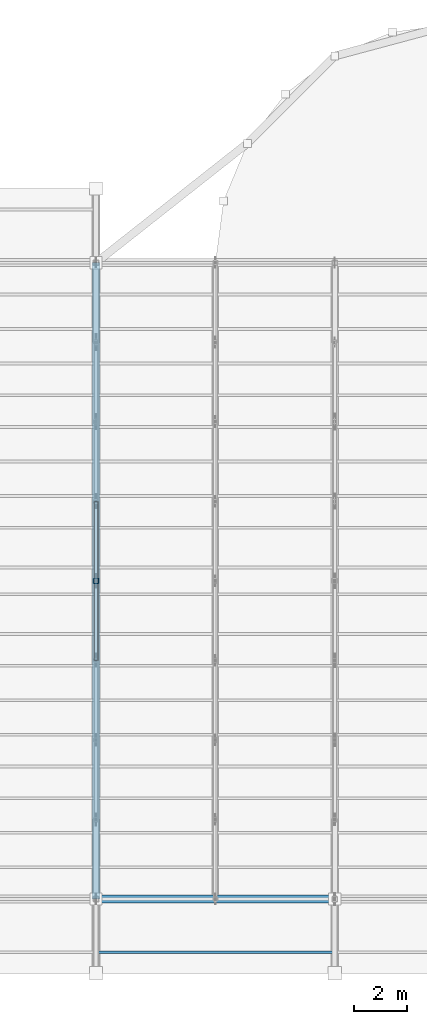
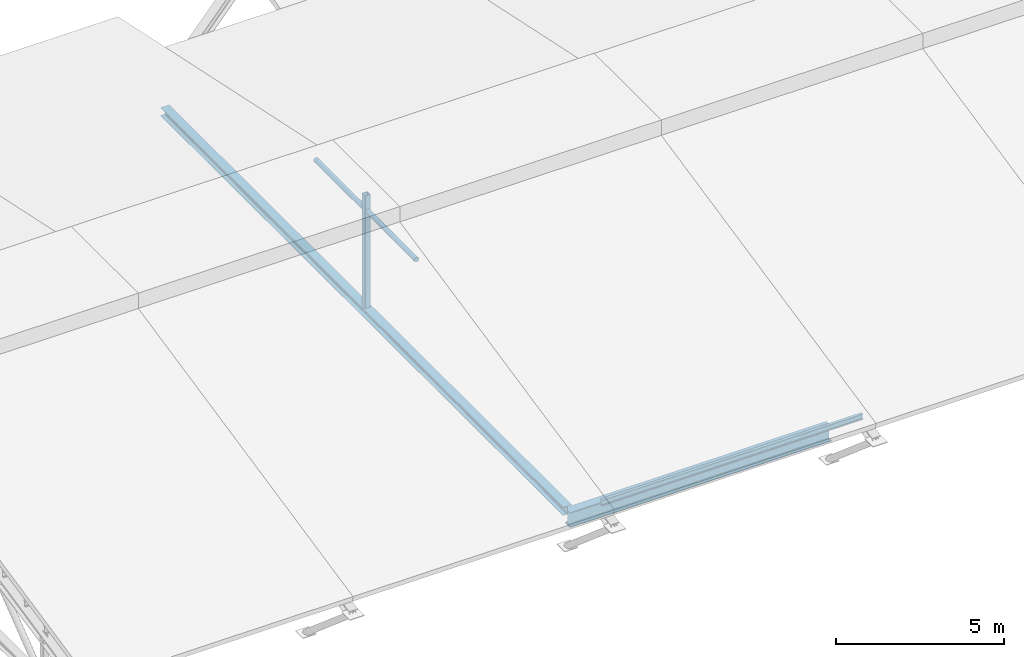
# One storey, part 9 of 43: 4 members, 1 beam.
"""IFC4 building model written with IfcOpenShell, lengths in metres."""

from ifc_helpers import new_model, si_unit, direction, frame, origin, origin_2d, place, context, subcontext, project, spatial, hollow_rectangle, hollow_circle, i_section, extrude, material, material_profile, profile_set, type_object, element, save


model = new_model("IFC4")

# Units and contexts
model_context = context("Model", 3, precision=1e-05, world=origin(), true_north=direction((0.0, 1.0)))
body_context = subcontext(model_context, "Body", "Model", "MODEL_VIEW")
ifc_project = project(units=[si_unit("LENGTHUNIT", "METRE"), si_unit("AREAUNIT", "SQUARE_METRE"), si_unit("VOLUMEUNIT", "CUBIC_METRE"), si_unit("PLANEANGLEUNIT", "RADIAN"), si_unit("MASSUNIT", "GRAM", prefix="KILO")], contexts=[model_context])

# Site, building, storey
site_placement = place(None, origin())
site = spatial("IfcSite", under=ifc_project, at=site_placement, CompositionType="ELEMENT")
building_placement = place(site_placement, origin())
building = spatial("IfcBuilding", under=site, at=building_placement, Name="Serraforn Aerial Cableway Station", CompositionType="ELEMENT")
storey_placement = place(building_placement, frame((0.0, 0.0, 18.300048828125)))
storey = spatial("IfcBuildingStorey", under=building, at=storey_placement, Name="RF", CompositionType="ELEMENT", Elevation=18.300048828125)

# Beam
ifc_material_1 = material(Name="Steel S355J2", Category="steel")
ifc_material_profile_1 = material_profile(ifc_material_1, i_section(OverallWidth=0.300048828125, OverallDepth=0.550048828125, WebThickness=0.014892578125, FlangeThickness=0.029052734375, FilletRadius=0.027099609375, at=origin_2d()), Name="HEB 550")
ifc_profile_set_1 = profile_set([ifc_material_profile_1], Name="Steel S355J2")
beam_type = type_object("IfcBeamType", Name="BM-ST-HEB550", PredefinedType="USERDEFINED", material=ifc_profile_set_1)
beam_placement = place(storey_placement, frame((45.60009765625, 18.0, -1.625), z_axis=(1.0, 0.0, 0.0), x_axis=(0.0, 1.0, 0.0)))
element("IfcBeam", 1, at=beam_placement, inside=storey, type_object=beam_type, Name="Boarding Hall Eave Girder S-3", ObjectType="GIRDER", PredefinedType="USERDEFINED", context=body_context, shape_type="SweptSolid", body=[
    extrude(i_section(OverallWidth=0.300048828125, OverallDepth=0.550048828125, WebThickness=0.014892578125, FlangeThickness=0.029052734375, FilletRadius=0.027099609375, at=origin_2d()), origin(), (0.0, 0.0, 1.0), 9.0),
])

# Members
ifc_material_profile_2 = material_profile(ifc_material_1, i_section(OverallWidth=0.300048828125, OverallDepth=0.300048828125, WebThickness=0.008544921875, FlangeThickness=0.013916015625, FilletRadius=0.027099609375, at=origin_2d()), Name="HEA 300")
ifc_profile_set_2 = profile_set([ifc_material_profile_2], Name="Steel S355J2")
member_type_1 = type_object("IfcMemberType", Name="MEM-BC-HEA300", PredefinedType="CHORD", material=ifc_profile_set_2)
member_1_placement = place(storey_placement, frame((45.60009765625, 18.0, -1.35009765625), z_axis=(0.0, 1.0, 0.0), x_axis=(-1.0, 0.0, 0.0)))
element("IfcMember", 2, at=member_1_placement, inside=storey, type_object=member_type_1, Name="Roof Truss TR-03 Bottom Chord", PredefinedType="CHORD", context=body_context, shape_type="SweptSolid", body=[
    extrude(i_section(OverallWidth=0.300048828125, OverallDepth=0.300048828125, WebThickness=0.008544921875, FlangeThickness=0.013916015625, FilletRadius=0.027099609375, at=origin_2d()), origin(), (0.0, 0.0, 1.0), 24.0),
])
ifc_material_profile_3 = material_profile(ifc_material_1, hollow_circle(Radius=0.084228515625, WallThickness=0.008056640625, at=origin_2d()), Name="CHS 168.3x8.0")
ifc_profile_set_3 = profile_set([ifc_material_profile_3], Name="Steel S355J2")
member_type_2 = type_object("IfcMemberType", Name="MEM-CL-CHS168", PredefinedType="COLLAR", material=ifc_profile_set_3)
member_2_placement = place(storey_placement, frame((45.60009765625, 27.0, 2.3076171875), z_axis=(0.0, 1.0, 0.0), x_axis=(-1.0, 0.0, 0.0)))
element("IfcMember", 3, at=member_2_placement, inside=storey, type_object=member_type_2, Name="Roof Truss TR-03 Collar Tie", PredefinedType="COLLAR", context=body_context, shape_type="SweptSolid", body=[
    extrude(hollow_circle(Radius=0.084228515625, WallThickness=0.008056640625, at=origin_2d()), origin(), (0.0, 0.0, 1.0), 6.0),
])
ifc_material_2 = material(Name="Steel S355JR", Category="steel")
ifc_material_profile_4 = material_profile(ifc_material_2, i_section(OverallWidth=0.10009765625, OverallDepth=0.199951171875, WebThickness=0.005615234375, FlangeThickness=0.008544921875, FilletRadius=0.011962890625, at=origin_2d()), Name="IPE 200")
ifc_profile_set_4 = profile_set([ifc_material_profile_4], Name="Steel S355JR")
member_type_3 = type_object("IfcMemberType", Name="MEM-PR-IPE200", PredefinedType="PURLIN", material=ifc_profile_set_4)
member_3_placement = place(storey_placement, frame((45.60009765625, 16.0, 0.14404296875), z_axis=(1.0, 0.0, 0.0), x_axis=(0.0, 1.0, 0.0)))
element("IfcMember", 4, at=member_3_placement, inside=storey, type_object=member_type_3, Name="Boarding Hall Purlin 3-1", PredefinedType="PURLIN", context=body_context, shape_type="SweptSolid", body=[
    extrude(i_section(OverallWidth=0.10009765625, OverallDepth=0.199951171875, WebThickness=0.005615234375, FlangeThickness=0.008544921875, FilletRadius=0.011962890625, at=origin_2d()), origin(), (0.0, 0.0, 1.0), 9.0),
])
ifc_material_profile_5 = material_profile(ifc_material_1, hollow_rectangle(XDim=0.199951171875, YDim=0.199951171875, WallThickness=0.010009765625, InnerFilletRadius=0.010009765625, OuterFilletRadius=0.02001953125, at=origin_2d()), Name="SHS 200x200x10.0")
ifc_profile_set_5 = profile_set([ifc_material_profile_5], Name="Steel S355J2")
member_type_4 = type_object("IfcMemberType", Name="MEM-VP-SHS200", PredefinedType="STRUT", material=ifc_profile_set_5)
member_4_placement = place(storey_placement, frame((45.60009765625, 30.0, -1.360107421875), z_axis=(0.0, 0.0, 1.0), x_axis=(1.0, 0.0, 0.0)))
element("IfcMember", 5, at=member_4_placement, inside=storey, type_object=member_type_4, Name="Roof Truss TR-03 Vertical Post 5", PredefinedType="STRUT", context=body_context, shape_type="SweptSolid", body=[
    extrude(hollow_rectangle(XDim=0.199951171875, YDim=0.199951171875, WallThickness=0.010009765625, InnerFilletRadius=0.010009765625, OuterFilletRadius=0.02001953125, at=origin_2d()), origin(), (0.0, 0.0, 1.0), 4.24609375),
])

save(model, "model.ifc")
